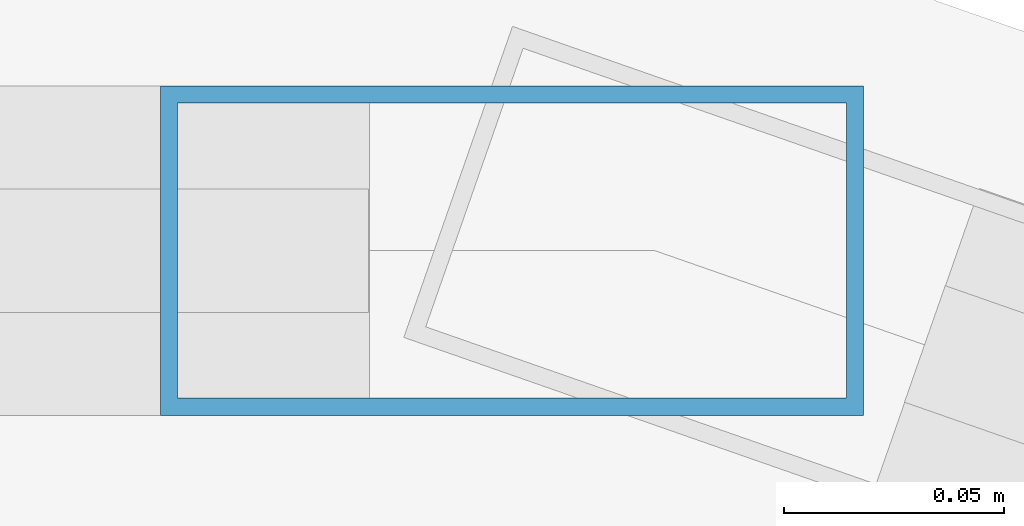
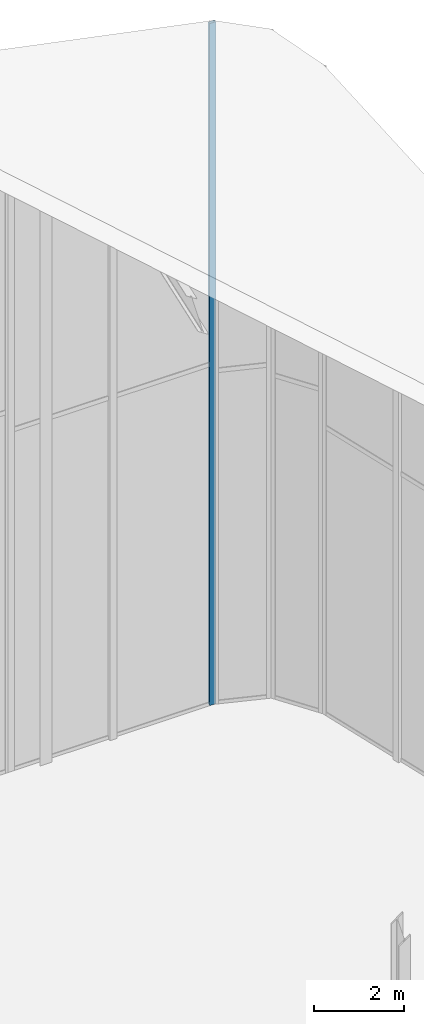
# One storey, part 66 of 74: 1 member, 1 element without a shape of its own.
"""IFC4 building model written with IfcOpenShell, lengths in metres."""

from ifc_helpers import new_model, si_unit, direction, frame, origin, origin_2d, place, context, subcontext, project, spatial, hollow_rectangle, extrude, material, layer, layer_set, material_profile, profile_set, type_object, element, aggregate, save


model = new_model("IFC4")

# Units and contexts
model_context = context("Model", 3, precision=1e-05, world=origin(), true_north=direction((0.0, 1.0)))
body_context = subcontext(model_context, "Body", "Model", "MODEL_VIEW")
ifc_project = project(units=[si_unit("LENGTHUNIT", "METRE"), si_unit("AREAUNIT", "SQUARE_METRE"), si_unit("VOLUMEUNIT", "CUBIC_METRE"), si_unit("PLANEANGLEUNIT", "RADIAN"), si_unit("MASSUNIT", "GRAM", prefix="KILO")], contexts=[model_context])

# Site, building, storey
site_placement = place(None, origin())
site = spatial("IfcSite", under=ifc_project, at=site_placement, CompositionType="ELEMENT")
building_placement = place(site_placement, origin())
building = spatial("IfcBuilding", under=site, at=building_placement, Name="Keshet Zoharim Tower", CompositionType="ELEMENT")
storey_placement = place(building_placement, frame((0.0, 0.0, 320.0)))
storey = spatial("IfcBuildingStorey", under=building, at=storey_placement, Name="RF", CompositionType="ELEMENT", Elevation=320.0)

# Curtain wall, member
ifc_material = material(Name="Aluminium 6063-T6", Category="aluminium")
ifc_layer = layer(ifc_material, 0.260009765625)
ifc_layer_set = layer_set([ifc_layer], Name="Aluminium 6063-T6")
curtain_wall_type = type_object("IfcCurtainWallType", Name="CW-SYS-06", PredefinedType="NOTDEFINED", material=ifc_layer_set)
curtain_wall_placement = place(storey_placement, origin())
curtain_wall = element("IfcCurtainWall", 1, at=curtain_wall_placement, inside=storey, type_object=curtain_wall_type, Name="Slanted Crown Curtain Wall 14", PredefinedType="NOTDEFINED")
ifc_material_profile = material_profile(ifc_material, hollow_rectangle(XDim=0.074951171875, YDim=0.159912109375, WallThickness=0.00390625, at=origin_2d()), Name="MUL-75x160")
ifc_profile_set = profile_set([ifc_material_profile], Name="Aluminium 6063-T6")
member_type = type_object("IfcMemberType", Name="CWM-M15", PredefinedType="MULLION", material=ifc_profile_set)
member_placement = place(storey_placement, frame((37.37646484375, 53.89990234375, 0.0), z_axis=(0.0, 0.0, 1.0), x_axis=(0.0, 1.0, 0.0)))
member = element("IfcMember", 2, at=member_placement, type_object=member_type, Name="CW-06 mullion 3", PredefinedType="MULLION", context=body_context, shape_type="SweptSolid", body=[
    extrude(hollow_rectangle(XDim=0.074951171875, YDim=0.159912109375, WallThickness=0.00390625, at=origin_2d()), origin(), (0.0, 0.0, 1.0), 18.573974609375),
])
aggregate(curtain_wall, [member])

save(model, "model.ifc")
